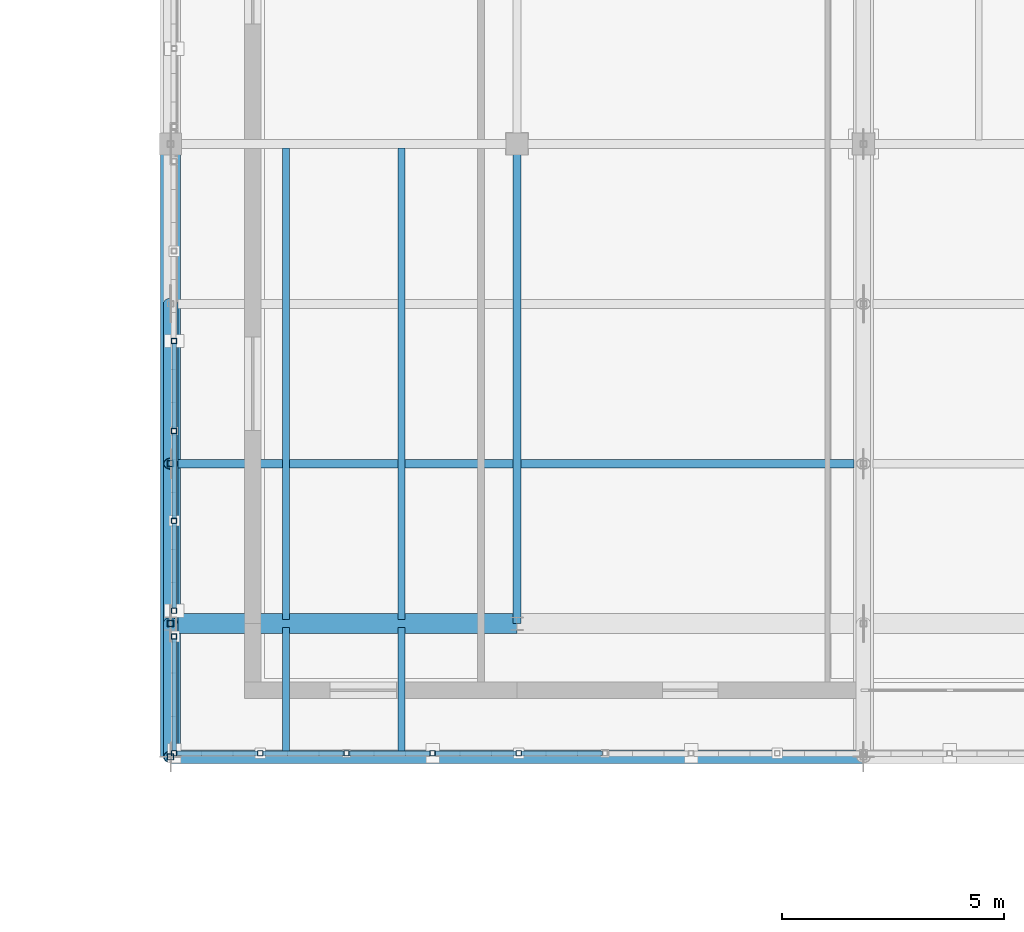
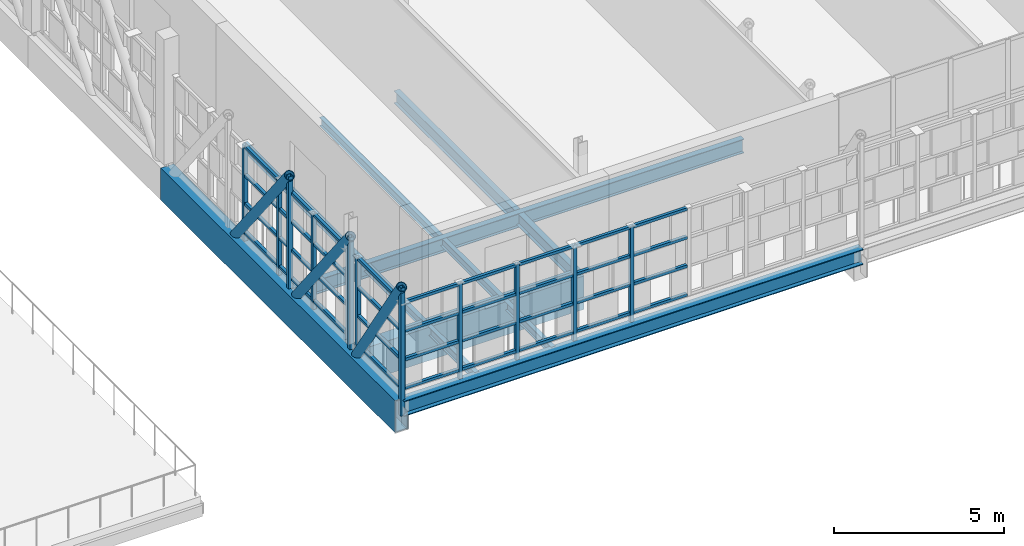
# One storey, part 10 of 89: 52 members, 9 beams.
"""IFC4 building model written with IfcOpenShell, lengths in metres."""

from ifc_helpers import new_model, si_unit, direction, frame, origin, origin_2d, place, context, subcontext, project, spatial, hollow_rectangle, hollow_circle, i_section, extrude, material, material_profile, profile_set, type_object, element, save


model = new_model("IFC4")

# Units and contexts
model_context = context("Model", 3, precision=1e-05, world=origin(), true_north=direction((0.0, 1.0)))
body_context = subcontext(model_context, "Body", "Model", "MODEL_VIEW")
ifc_project = project(units=[si_unit("LENGTHUNIT", "METRE"), si_unit("AREAUNIT", "SQUARE_METRE"), si_unit("VOLUMEUNIT", "CUBIC_METRE"), si_unit("PLANEANGLEUNIT", "RADIAN"), si_unit("MASSUNIT", "GRAM", prefix="KILO")], contexts=[model_context])

# Site, building, storey
site_placement = place(None, origin())
site = spatial("IfcSite", under=ifc_project, at=site_placement, CompositionType="ELEMENT")
building_placement = place(site_placement, origin())
building = spatial("IfcBuilding", under=site, at=building_placement, Name="Celorna Specialist Clinic", CompositionType="ELEMENT")
storey_placement = place(building_placement, frame((0.0, 0.0, 14.10009765625)))
storey = spatial("IfcBuildingStorey", under=building, at=storey_placement, Name="L03", CompositionType="ELEMENT", Elevation=14.10009765625)

# Beams
ifc_material = material(Name="Steel S355", Category="steel")
ifc_material_profile_1 = material_profile(ifc_material, hollow_rectangle(XDim=0.449951171875, YDim=1.14990234375, WallThickness=0.031982421875, at=origin_2d()), Name="BOX 450x1150x32")
ifc_profile_set_1 = profile_set([ifc_material_profile_1], Name="Steel S355")
beam_type_1 = type_object("IfcBeamType", Name="BM-01", PredefinedType="BEAM", material=ifc_profile_set_1)
beam_1_placement = place(storey_placement, frame((54.60009765625, 5.699951171875, -0.835205078125), z_axis=(0.0, 1.0, 0.0), x_axis=(-1.0, 0.0, 0.0)))
element("IfcBeam", 1, at=beam_1_placement, inside=storey, type_object=beam_type_1, Name="Cantilever Pratt truss chord WP-006-WP-007", PredefinedType="BEAM", context=body_context, shape_type="SweptSolid", body=[
    extrude(hollow_rectangle(XDim=0.449951171875, YDim=1.14990234375, WallThickness=0.031982421875, at=origin_2d()), origin(), (0.0, 0.0, 1.0), 13.800048828125),
])
ifc_material_profile_2 = material_profile(ifc_material, hollow_rectangle(XDim=0.449951171875, YDim=1.199951171875, WallThickness=0.031982421875, at=origin_2d()), Name="BOX 450x1200x32")
ifc_profile_set_2 = profile_set([ifc_material_profile_2], Name="Steel S355")
beam_type_2 = type_object("IfcBeamType", Name="BM-02", PredefinedType="BEAM", material=ifc_profile_set_2)
beam_2_placement = place(storey_placement, frame((54.60009765625, 8.699951171875, -0.860107421875), z_axis=(1.0, 0.0, 0.0), x_axis=(0.0, 1.0, 0.0)))
element("IfcBeam", 2, at=beam_2_placement, inside=storey, type_object=beam_type_2, Name="Portico transfer box girder BM-02 #10", PredefinedType="BEAM", context=body_context, shape_type="SweptSolid", body=[
    extrude(hollow_rectangle(XDim=0.449951171875, YDim=1.199951171875, WallThickness=0.031982421875, at=origin_2d()), origin(), (0.0, 0.0, 1.0), 7.7998046875),
])
ifc_material_profile_3 = material_profile(ifc_material, i_section(OverallWidth=0.300048828125, OverallDepth=0.550048828125, WebThickness=0.014892578125, FlangeThickness=0.029052734375, at=origin_2d()), Name="HE 550 B")
ifc_profile_set_3 = profile_set([ifc_material_profile_3], Name="Steel S355")
beam_type_3 = type_object("IfcBeamType", Name="BM-04", PredefinedType="BEAM", material=ifc_profile_set_3)
beam_3_placement = place(storey_placement, frame((54.60009765625, 5.699951171875, -0.53515625), z_axis=(1.0, 0.0, 0.0), x_axis=(0.0, 1.0, 0.0)))
element("IfcBeam", 3, at=beam_3_placement, inside=storey, type_object=beam_type_3, Name="Cantilever nose edge girder BM-04 #4", PredefinedType="BEAM", context=body_context, shape_type="SweptSolid", body=[
    extrude(i_section(OverallWidth=0.300048828125, OverallDepth=0.550048828125, WebThickness=0.014892578125, FlangeThickness=0.029052734375, at=origin_2d()), origin(), (0.0, 0.0, 1.0), 15.599853515625),
])
ifc_material_profile_4 = material_profile(ifc_material, i_section(OverallWidth=0.199951171875, OverallDepth=0.5, WebThickness=0.01025390625, FlangeThickness=0.01611328125, at=origin_2d()), Name="IPE 500")
ifc_profile_set_4 = profile_set([ifc_material_profile_4], Name="Steel S355")
beam_type_4 = type_object("IfcBeamType", Name="BM-08", PredefinedType="BEAM", material=ifc_profile_set_4)
beam_4_placement = place(storey_placement, frame((54.60009765625, 12.300048828125, -0.510009765625), z_axis=(1.0, 0.0, 0.0), x_axis=(0.0, 1.0, 0.0)))
element("IfcBeam", 4, at=beam_4_placement, inside=storey, type_object=beam_type_4, Name="Cantilever floor girder BM-08 #20", PredefinedType="BEAM", context=body_context, shape_type="SweptSolid", body=[
    extrude(i_section(OverallWidth=0.199951171875, OverallDepth=0.5, WebThickness=0.01025390625, FlangeThickness=0.01611328125, at=origin_2d()), origin(), (0.0, 0.0, 1.0), 15.385009765625),
])
ifc_material_profile_5 = material_profile(ifc_material, i_section(OverallWidth=0.18994140625, OverallDepth=0.449951171875, WebThickness=0.009521484375, FlangeThickness=0.0146484375, at=origin_2d()), Name="IPE 450")
ifc_profile_set_5 = profile_set([ifc_material_profile_5], Name="Steel S355")
beam_type_5 = type_object("IfcBeamType", Name="BM-09", PredefinedType="BEAM", material=ifc_profile_set_5)
beam_5_placement = place(storey_placement, frame((62.39990234375, 8.699951171875, -0.485107421875), z_axis=(0.0, 1.0, 0.0), x_axis=(-1.0, 0.0, 0.0)))
element("IfcBeam", 5, at=beam_5_placement, inside=storey, type_object=beam_type_5, Name="Transverse girder BM-09 #2174", PredefinedType="BEAM", context=body_context, shape_type="SweptSolid", body=[
    extrude(i_section(OverallWidth=0.18994140625, OverallDepth=0.449951171875, WebThickness=0.009521484375, FlangeThickness=0.0146484375, at=origin_2d()), origin(), (0.0, 0.0, 1.0), 10.800048828125),
])
ifc_material_profile_6 = material_profile(ifc_material, i_section(OverallWidth=0.14990234375, OverallDepth=0.300048828125, WebThickness=0.007080078125, FlangeThickness=0.0107421875, at=origin_2d()), Name="IPE 300")
ifc_profile_set_6 = profile_set([ifc_material_profile_6], Name="Steel S355")
beam_type_6 = type_object("IfcBeamType", Name="BM-13", PredefinedType="JOIST", material=ifc_profile_set_6)
for number, where, z_axis, x_axis, name in (
    (6, (57.199951171875, 5.7880859375, -0.41015625), (0.0, 1.0, 0.0), (-1.0, 0.0, 0.0), "Secondary floor joist BM-13 #2180"),
    (7, (59.800048828125, 5.7880859375, -0.41015625), (0.0, 1.0, 0.0), (-1.0, 0.0, 0.0), "Secondary floor joist BM-13 #2181"),
):
    element("IfcBeam", number, at=place(storey_placement, frame(where, z_axis=z_axis, x_axis=x_axis)), inside=storey, type_object=beam_type_6, Name=name, PredefinedType="JOIST", context=body_context, shape_type="SweptSolid", body=[
        extrude(i_section(OverallWidth=0.14990234375, OverallDepth=0.300048828125, WebThickness=0.007080078125, FlangeThickness=0.0107421875, at=origin_2d()), origin(), (0.0, 0.0, 1.0), 2.823974609375),
    ])
for number, where, z_axis, x_axis, name in (
    (8, (57.199951171875, 8.7880859375, -0.41015625), (0.0, 1.0, 0.0), (-1.0, 0.0, 0.0), "Secondary floor joist BM-13 #2182"),
    (9, (59.800048828125, 8.7880859375, -0.41015625), (0.0, 1.0, 0.0), (-1.0, 0.0, 0.0), "Secondary floor joist BM-13 #2183"),
):
    element("IfcBeam", number, at=place(storey_placement, frame(where, z_axis=z_axis, x_axis=x_axis)), inside=storey, type_object=beam_type_6, Name=name, PredefinedType="JOIST", context=body_context, shape_type="SweptSolid", body=[
        extrude(i_section(OverallWidth=0.14990234375, OverallDepth=0.300048828125, WebThickness=0.007080078125, FlangeThickness=0.0107421875, at=origin_2d()), origin(), (0.0, 0.0, 1.0), 10.6240234375),
    ])

# Members
ifc_material_profile_7 = material_profile(ifc_material, hollow_circle(Radius=0.161865234375, WallThickness=0.01611328125, at=origin_2d()), Name="CHS 323.9x16")
ifc_profile_set_7 = profile_set([ifc_material_profile_7], Name="Steel S355")
member_type_1 = type_object("IfcMemberType", Name="MB-05", PredefinedType="BRACE", material=ifc_profile_set_7)
member_placement = place(storey_placement, frame((54.60009765625, 5.699951171875, 3.764892578125), z_axis=(0.0, 0.546259644245, -0.837615903066), x_axis=(-1.0, 0.0, 0.0)))
element("IfcMember", 10, at=member_placement, inside=storey, type_object=member_type_1, Name="Cantilever Pratt truss web diagonal WP-011-WP-017", PredefinedType="BRACE", context=body_context, shape_type="SweptSolid", body=[
    extrude(hollow_circle(Radius=0.161865234375, WallThickness=0.01611328125, at=origin_2d()), origin(), (0.0, 0.0, 1.0), 5.491943359375),
])
for number, where, z_axis, x_axis, name in (
    (11, (54.60009765625, 8.699951171875, 3.764892578125), (0.0, 0.616310515553, -0.787503237085), (-1.0, 0.0, 0.0), "Cantilever Pratt truss web diagonal WP-028-WP-019"),
    (12, (54.60009765625, 12.300048828125, 3.764892578125), (0.0, 0.616284594847, -0.787523522286), (-1.0, 0.0, 0.0), "Cantilever Pratt truss web diagonal WP-029-WP-021"),
):
    element("IfcMember", number, at=place(storey_placement, frame(where, z_axis=z_axis, x_axis=x_axis)), inside=storey, type_object=member_type_1, Name=name, PredefinedType="BRACE", context=body_context, shape_type="SweptSolid", body=[
        extrude(hollow_circle(Radius=0.161865234375, WallThickness=0.01611328125, at=origin_2d()), origin(), (0.0, 0.0, 1.0), 5.84130859375),
    ])
ifc_material_profile_8 = material_profile(ifc_material, hollow_rectangle(XDim=0.139892578125, YDim=0.139892578125, WallThickness=0.008056640625, at=origin_2d()), Name="SHS 140x140x8")
ifc_profile_set_8 = profile_set([ifc_material_profile_8], Name="Steel S355")
member_type_2 = type_object("IfcMemberType", Name="MB-10", PredefinedType="CHORD", material=ifc_profile_set_8)
for number, where, z_axis, x_axis, name in (
    (13, (54.60009765625, 5.699951171875, -0.835205078125), (0.0, 0.0, 1.0), (1.0, 0.0, 0.0), "Cantilever Pratt truss vertical post WP-006-WP-011"),
    (14, (54.60009765625, 8.699951171875, -0.835205078125), (0.0, 0.0, 1.0), (1.0, 0.0, 0.0), "Cantilever Pratt truss vertical post WP-017-WP-028"),
    (15, (54.60009765625, 12.300048828125, -0.835205078125), (0.0, 0.0, 1.0), (1.0, 0.0, 0.0), "Cantilever Pratt truss vertical post WP-019-WP-029"),
):
    element("IfcMember", number, at=place(storey_placement, frame(where, z_axis=z_axis, x_axis=x_axis)), inside=storey, type_object=member_type_2, Name=name, PredefinedType="CHORD", context=body_context, shape_type="SweptSolid", body=[
        extrude(hollow_rectangle(XDim=0.139892578125, YDim=0.139892578125, WallThickness=0.008056640625, at=origin_2d()), origin(), (0.0, 0.0, 1.0), 4.60009765625),
    ])
ifc_material_profile_9 = material_profile(ifc_material, hollow_rectangle(XDim=0.1201171875, YDim=0.1201171875, WallThickness=0.008056640625, at=origin_2d()), Name="SHS 120x120x8")
ifc_profile_set_9 = profile_set([ifc_material_profile_9], Name="Steel S355")
member_type_3 = type_object("IfcMemberType", Name="MB-11", PredefinedType="STUD", material=ifc_profile_set_9)
for number, where, z_axis, x_axis, name in (
    (16, (54.679931640625, 5.780029296875, -0.360107421875), (0.0, 0.0, 1.0), (1.0, 0.0, 0.0), "Perforated screen steel post #82"),
    (17, (56.6201171875, 5.780029296875, -0.360107421875), (0.0, 0.0, 1.0), (1.0, 0.0, 0.0), "Perforated screen steel post #83"),
    (18, (58.56005859375, 5.780029296875, -0.360107421875), (0.0, 0.0, 1.0), (1.0, 0.0, 0.0), "Perforated screen steel post #84"),
    (19, (60.5, 5.780029296875, -0.360107421875), (0.0, 0.0, 1.0), (1.0, 0.0, 0.0), "Perforated screen steel post #85"),
    (20, (62.43994140625, 5.780029296875, -0.360107421875), (0.0, 0.0, 1.0), (1.0, 0.0, 0.0), "Perforated screen steel post #86"),
    (21, (54.679931640625, 8.409912109375, -0.360107421875), (0.0, 0.0, 1.0), (1.0, 0.0, 0.0), "Perforated screen steel post #257"),
    (22, (54.679931640625, 8.989990234375, -0.360107421875), (0.0, 0.0, 1.0), (1.0, 0.0, 0.0), "Perforated screen steel post #262"),
    (23, (54.679931640625, 11.013916015625, -0.360107421875), (0.0, 0.0, 1.0), (1.0, 0.0, 0.0), "Perforated screen steel post #263"),
    (24, (54.679931640625, 13.0380859375, -0.360107421875), (0.0, 0.0, 1.0), (1.0, 0.0, 0.0), "Perforated screen steel post #264"),
    (25, (54.679931640625, 15.06201171875, -0.360107421875), (0.0, 0.0, 1.0), (1.0, 0.0, 0.0), "Perforated screen steel post #265"),
):
    element("IfcMember", number, at=place(storey_placement, frame(where, z_axis=z_axis, x_axis=x_axis)), inside=storey, type_object=member_type_3, Name=name, PredefinedType="STUD", context=body_context, shape_type="SweptSolid", body=[
        extrude(hollow_rectangle(XDim=0.1201171875, YDim=0.1201171875, WallThickness=0.008056640625, at=origin_2d()), origin(), (0.0, 0.0, 1.0), 3.5400390625),
    ])
ifc_material_profile_10 = material_profile(ifc_material, hollow_rectangle(XDim=0.10009765625, YDim=0.10009765625, WallThickness=0.006103515625, at=origin_2d()), Name="SHS 100x100x6")
ifc_profile_set_10 = profile_set([ifc_material_profile_10], Name="Steel S355")
member_type_4 = type_object("IfcMemberType", Name="MB-12", PredefinedType="STUD", material=ifc_profile_set_10)
for number, where, z_axis, x_axis, name in (
    (26, (54.739990234375, 5.780029296875, 0.0498046875), (1.0, 0.0, 0.0), (0.0, 1.0, 0.0), "Perforated screen rail #99"),
    (27, (54.739990234375, 5.780029296875, 1.07666015625), (1.0, 0.0, 0.0), (0.0, 1.0, 0.0), "Perforated screen rail #100"),
    (28, (54.739990234375, 5.780029296875, 2.103271484375), (1.0, 0.0, 0.0), (0.0, 1.0, 0.0), "Perforated screen rail #101"),
    (29, (54.739990234375, 5.780029296875, 3.1298828125), (1.0, 0.0, 0.0), (0.0, 1.0, 0.0), "Perforated screen rail #102"),
    (30, (56.679931640625, 5.780029296875, 0.0498046875), (1.0, 0.0, 0.0), (0.0, 1.0, 0.0), "Perforated screen rail #103"),
    (31, (56.679931640625, 5.780029296875, 1.07666015625), (1.0, 0.0, 0.0), (0.0, 1.0, 0.0), "Perforated screen rail #104"),
    (32, (56.679931640625, 5.780029296875, 2.103271484375), (1.0, 0.0, 0.0), (0.0, 1.0, 0.0), "Perforated screen rail #105"),
    (33, (56.679931640625, 5.780029296875, 3.1298828125), (1.0, 0.0, 0.0), (0.0, 1.0, 0.0), "Perforated screen rail #106"),
):
    element("IfcMember", number, at=place(storey_placement, frame(where, z_axis=z_axis, x_axis=x_axis)), inside=storey, type_object=member_type_4, Name=name, PredefinedType="STUD", context=body_context, shape_type="SweptSolid", body=[
        extrude(hollow_rectangle(XDim=0.10009765625, YDim=0.10009765625, WallThickness=0.006103515625, at=origin_2d()), origin(), (0.0, 0.0, 1.0), 1.820068359375),
    ])
for number, where, z_axis, x_axis, name in (
    (34, (58.6201171875, 5.780029296875, 0.0498046875), (1.0, 0.0, 0.0), (0.0, 1.0, 0.0), "Perforated screen rail #107"),
    (35, (58.6201171875, 5.780029296875, 1.07666015625), (1.0, 0.0, 0.0), (0.0, 1.0, 0.0), "Perforated screen rail #108"),
    (36, (58.6201171875, 5.780029296875, 2.103271484375), (1.0, 0.0, 0.0), (0.0, 1.0, 0.0), "Perforated screen rail #109"),
    (37, (58.6201171875, 5.780029296875, 3.1298828125), (1.0, 0.0, 0.0), (0.0, 1.0, 0.0), "Perforated screen rail #110"),
    (38, (60.56005859375, 5.780029296875, 0.0498046875), (1.0, 0.0, 0.0), (0.0, 1.0, 0.0), "Perforated screen rail #111"),
    (39, (60.56005859375, 5.780029296875, 1.07666015625), (1.0, 0.0, 0.0), (0.0, 1.0, 0.0), "Perforated screen rail #112"),
    (40, (60.56005859375, 5.780029296875, 2.103271484375), (1.0, 0.0, 0.0), (0.0, 1.0, 0.0), "Perforated screen rail #113"),
    (41, (60.56005859375, 5.780029296875, 3.1298828125), (1.0, 0.0, 0.0), (0.0, 1.0, 0.0), "Perforated screen rail #114"),
):
    element("IfcMember", number, at=place(storey_placement, frame(where, z_axis=z_axis, x_axis=x_axis)), inside=storey, type_object=member_type_4, Name=name, PredefinedType="STUD", context=body_context, shape_type="SweptSolid", body=[
        extrude(hollow_rectangle(XDim=0.10009765625, YDim=0.10009765625, WallThickness=0.006103515625, at=origin_2d()), origin(), (0.0, 0.0, 1.0), 1.81982421875),
    ])
for number, where, z_axis, x_axis, name in (
    (42, (62.5, 5.780029296875, 0.0498046875), (1.0, 0.0, 0.0), (0.0, 1.0, 0.0), "Perforated screen rail #115"),
    (43, (62.5, 5.780029296875, 1.07666015625), (1.0, 0.0, 0.0), (0.0, 1.0, 0.0), "Perforated screen rail #116"),
    (44, (62.5, 5.780029296875, 2.103271484375), (1.0, 0.0, 0.0), (0.0, 1.0, 0.0), "Perforated screen rail #117"),
    (45, (62.5, 5.780029296875, 3.1298828125), (1.0, 0.0, 0.0), (0.0, 1.0, 0.0), "Perforated screen rail #118"),
):
    element("IfcMember", number, at=place(storey_placement, frame(where, z_axis=z_axis, x_axis=x_axis)), inside=storey, type_object=member_type_4, Name=name, PredefinedType="STUD", context=body_context, shape_type="SweptSolid", body=[
        extrude(hollow_rectangle(XDim=0.10009765625, YDim=0.10009765625, WallThickness=0.006103515625, at=origin_2d()), origin(), (0.0, 0.0, 1.0), 1.820068359375),
    ])
for number, where, z_axis, x_axis, name in (
    (46, (54.679931640625, 5.840087890625, 0.0498046875), (0.0, 1.0, 0.0), (-1.0, 0.0, 0.0), "Perforated screen rail #258"),
    (47, (54.679931640625, 5.840087890625, 1.07666015625), (0.0, 1.0, 0.0), (-1.0, 0.0, 0.0), "Perforated screen rail #259"),
    (48, (54.679931640625, 5.840087890625, 2.103271484375), (0.0, 1.0, 0.0), (-1.0, 0.0, 0.0), "Perforated screen rail #260"),
    (49, (54.679931640625, 5.840087890625, 3.1298828125), (0.0, 1.0, 0.0), (-1.0, 0.0, 0.0), "Perforated screen rail #261"),
):
    element("IfcMember", number, at=place(storey_placement, frame(where, z_axis=z_axis, x_axis=x_axis)), inside=storey, type_object=member_type_4, Name=name, PredefinedType="STUD", context=body_context, shape_type="SweptSolid", body=[
        extrude(hollow_rectangle(XDim=0.10009765625, YDim=0.10009765625, WallThickness=0.006103515625, at=origin_2d()), origin(), (0.0, 0.0, 1.0), 2.510009765625),
    ])
for number, where, z_axis, x_axis, name in (
    (50, (54.679931640625, 9.050048828125, 0.0498046875), (0.0, 1.0, 0.0), (-1.0, 0.0, 0.0), "Perforated screen rail #268"),
    (51, (54.679931640625, 9.050048828125, 1.07666015625), (0.0, 1.0, 0.0), (-1.0, 0.0, 0.0), "Perforated screen rail #269"),
    (52, (54.679931640625, 9.050048828125, 2.103271484375), (0.0, 1.0, 0.0), (-1.0, 0.0, 0.0), "Perforated screen rail #270"),
    (53, (54.679931640625, 9.050048828125, 3.1298828125), (0.0, 1.0, 0.0), (-1.0, 0.0, 0.0), "Perforated screen rail #271"),
    (54, (54.679931640625, 11.073974609375, 0.0498046875), (0.0, 1.0, 0.0), (-1.0, 0.0, 0.0), "Perforated screen rail #272"),
    (55, (54.679931640625, 11.073974609375, 1.07666015625), (0.0, 1.0, 0.0), (-1.0, 0.0, 0.0), "Perforated screen rail #273"),
    (56, (54.679931640625, 11.073974609375, 2.103271484375), (0.0, 1.0, 0.0), (-1.0, 0.0, 0.0), "Perforated screen rail #274"),
    (57, (54.679931640625, 11.073974609375, 3.1298828125), (0.0, 1.0, 0.0), (-1.0, 0.0, 0.0), "Perforated screen rail #275"),
    (58, (54.679931640625, 13.097900390625, 0.0498046875), (0.0, 1.0, 0.0), (-1.0, 0.0, 0.0), "Perforated screen rail #276"),
    (59, (54.679931640625, 13.097900390625, 1.07666015625), (0.0, 1.0, 0.0), (-1.0, 0.0, 0.0), "Perforated screen rail #277"),
    (60, (54.679931640625, 13.097900390625, 2.103271484375), (0.0, 1.0, 0.0), (-1.0, 0.0, 0.0), "Perforated screen rail #278"),
    (61, (54.679931640625, 13.097900390625, 3.1298828125), (0.0, 1.0, 0.0), (-1.0, 0.0, 0.0), "Perforated screen rail #279"),
):
    element("IfcMember", number, at=place(storey_placement, frame(where, z_axis=z_axis, x_axis=x_axis)), inside=storey, type_object=member_type_4, Name=name, PredefinedType="STUD", context=body_context, shape_type="SweptSolid", body=[
        extrude(hollow_rectangle(XDim=0.10009765625, YDim=0.10009765625, WallThickness=0.006103515625, at=origin_2d()), origin(), (0.0, 0.0, 1.0), 1.904052734375),
    ])

save(model, "model.ifc")
